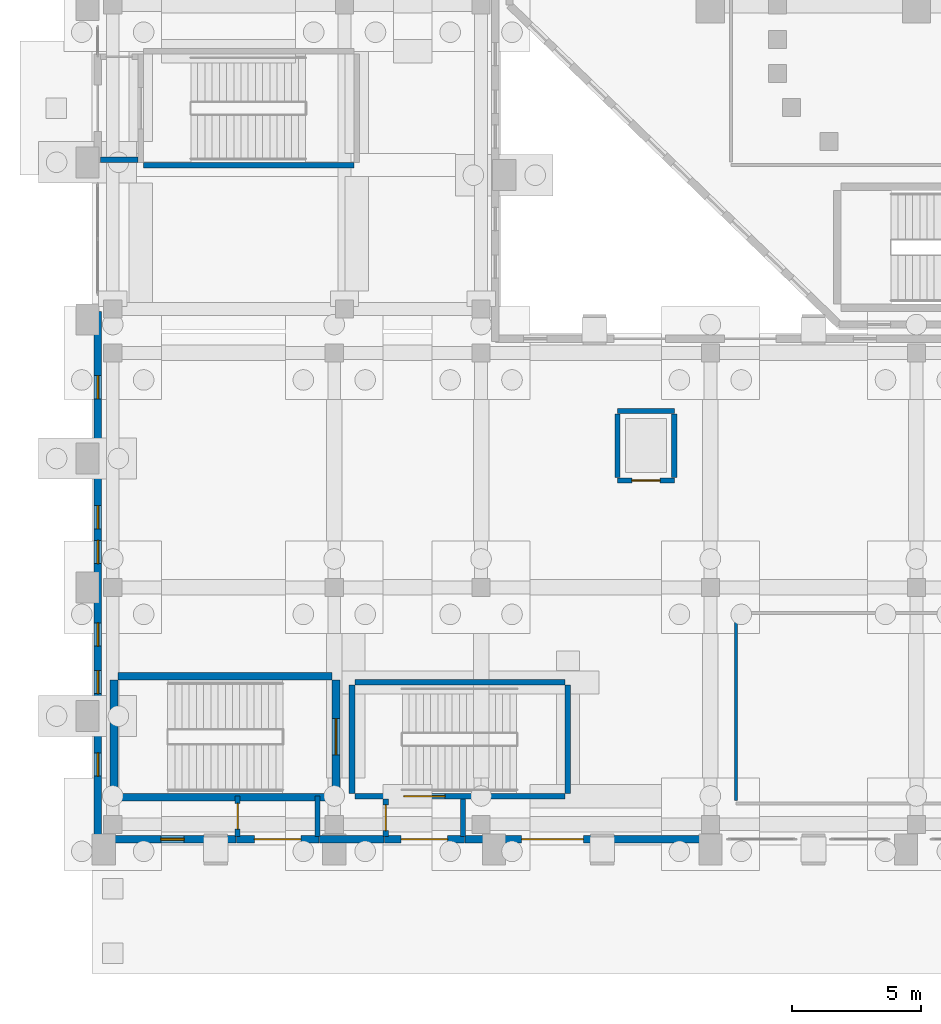
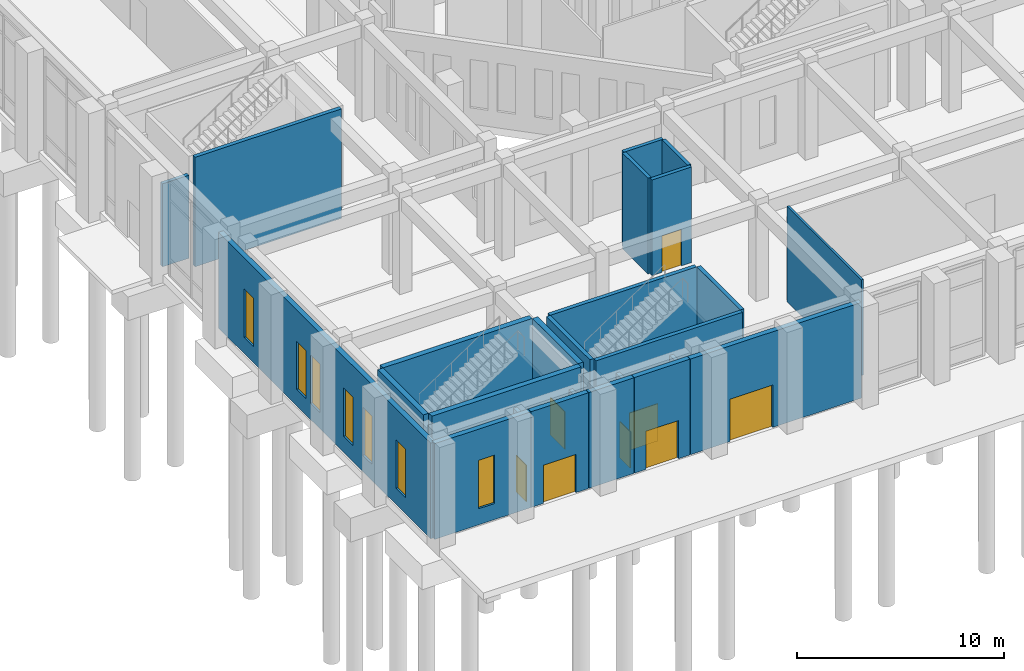
# One storey, part 103 of 143: 25 walls, 8 doors, 7 windows, 15 openings.
"""IFC4 building model written with IfcOpenShell, lengths in metres."""

import ifcopenshell
import ifcopenshell.guid

model = None  # the IFC model being written
_history = None  # IfcOwnerHistory: only IFC2X3 demands one
_inside = {}  # id of a spatial element -> (the spatial element, [elements in it])
_under = {}  # id of a project, library or spatial element -> (it, [spatial elements below it])
_declared = {}  # id of a project -> (the project, [libraries it declares])
_typed = {}  # id of a type object -> (the type object, [elements of that type])
_made_of = {}  # id of a material, layer set ... -> (it, [elements and type objects made of it])


def new_model(schema):
    """Start an empty IFC model of exactly this schema.

    Asked for "IFC4X3", IfcOpenShell would pick the latest addendum, in which some entities
    have other attributes; the version numbers below select the first issue.
    IFC2X3 requires an IfcOwnerHistory on every rooted entity: one is made here for all.
    """
    global model, _history
    if schema == "IFC4X3":
        model = ifcopenshell.file(schema_version=(4, 3, 0, 0))
    else:
        model = ifcopenshell.file(schema=schema)
    _inside.clear()
    _under.clear()
    _declared.clear()
    _typed.clear()
    _made_of.clear()
    _history = None
    if model.schema == "IFC2X3":
        org = make("IfcOrganization", Name="unknown")
        user = make(
            "IfcPersonAndOrganization",
            ThePerson=make("IfcPerson", FamilyName="unknown"),
            TheOrganization=org,
        )
        app = make(
            "IfcApplication",
            ApplicationDeveloper=org,
            Version="unknown",
            ApplicationFullName="unknown",
            ApplicationIdentifier="unknown",
        )
        _history = make(
            "IfcOwnerHistory",
            OwningUser=user,
            OwningApplication=app,
            ChangeAction="ADDED",
            CreationDate=0,
        )
    return model


def make(cls, **values):
    """One entity of the class cls with the attributes given. An attribute that is None is left unset."""
    return model.create_entity(
        cls, **{name: value for name, value in values.items() if value is not None}
    )


def rooted(cls, **values):
    """An entity with a GlobalId (a new one), such as an element, a storey or a relation."""
    return make(cls, GlobalId=ifcopenshell.guid.new(), OwnerHistory=_history, **values)


def si_unit(unit_type, name, prefix=None):
    """IfcSIUnit, for example si_unit("LENGTHUNIT", "METRE", prefix="MILLI")."""
    return make("IfcSIUnit", UnitType=unit_type, Prefix=prefix, Name=name)


def derived_unit(unit_type, elements):
    """IfcDerivedUnit: a product of units, each with its exponent."""
    return make(
        "IfcDerivedUnit",
        Elements=[
            make("IfcDerivedUnitElement", Unit=unit, Exponent=power)
            for unit, power in elements
        ],
        UnitType=unit_type,
    )


def assignment(units):
    """IfcUnitAssignment: the units of a project."""
    return None if units is None else make("IfcUnitAssignment", Units=units)


def point(xyz):
    """IfcCartesianPoint."""
    return None if xyz is None else make("IfcCartesianPoint", Coordinates=xyz)


def direction(xyz):
    """IfcDirection."""
    return None if xyz is None else make("IfcDirection", DirectionRatios=xyz)


def frame(location, z_axis=None, x_axis=None):
    """IfcAxis2Placement3D, a coordinate frame: its origin and axes. An axis left out is left unset."""
    return make(
        "IfcAxis2Placement3D",
        Location=point(location),
        Axis=direction(z_axis),
        RefDirection=direction(x_axis),
    )


def frame_2d(location, x_axis=None):
    """IfcAxis2Placement2D, a coordinate frame in the plane: its origin and x axis."""
    return make(
        "IfcAxis2Placement2D", Location=point(location), RefDirection=direction(x_axis)
    )


def origin():
    """The frame at (0, 0, 0) with its axes left unset."""
    return frame((0.0, 0.0, 0.0))


def place(relative_to, where):
    """IfcLocalPlacement: puts the frame where relative to a parent placement (None: the world)."""
    return make(
        "IfcLocalPlacement", PlacementRelTo=relative_to, RelativePlacement=where
    )


def context(
    kind, dimensions, precision=None, world=None, true_north=None, identifier=None
):
    """IfcGeometricRepresentationContext, for example the 3D "Model" context."""
    return make(
        "IfcGeometricRepresentationContext",
        ContextIdentifier=identifier,
        ContextType=kind,
        CoordinateSpaceDimension=dimensions,
        Precision=precision,
        WorldCoordinateSystem=world,
        TrueNorth=true_north,
    )


def subcontext(parent, identifier, kind, view, scale=None):
    """IfcGeometricRepresentationSubContext, for example "Body" below "Model"."""
    return make(
        "IfcGeometricRepresentationSubContext",
        ContextIdentifier=identifier,
        ContextType=kind,
        ParentContext=parent,
        TargetScale=scale,
        TargetView=view,
    )


def project(units=None, contexts=None):
    """IfcProject with its units and contexts."""
    return rooted(
        "IfcProject",
        Name="project",
        RepresentationContexts=contexts,
        UnitsInContext=assignment(units),
    )


def spatial(cls, under=None, at=None, **own):
    """A site, building, storey or space (cls), placed at a placement, below another one or the project."""
    s = rooted(cls, ObjectPlacement=at, **own)
    if under is not None:
        _under.setdefault(under.id(), (under, []))[1].append(s)
    return s


def profile(cls, at=None, kind="AREA", **sizes):
    """A parametric profile (cls). Its sizes go by their IFC names, for example OverallWidth=200.0."""
    return make(cls, ProfileType=kind, Position=at, **sizes)


def rectangle(**sizes):
    """IfcRectangleProfileDef."""
    return profile("IfcRectangleProfileDef", **sizes)


def extrude(swept, where, along, depth):
    """IfcExtrudedAreaSolid: the profile swept, set in the frame where, extruded along a direction by depth."""
    return make(
        "IfcExtrudedAreaSolid",
        SweptArea=swept,
        Position=where,
        ExtrudedDirection=direction(along),
        Depth=depth,
    )


def shape(context_of_items, identifier, shape_type, items):
    """IfcShapeRepresentation: the items that make up one representation, for example the "Body"."""
    return make(
        "IfcShapeRepresentation",
        ContextOfItems=context_of_items,
        RepresentationIdentifier=identifier,
        RepresentationType=shape_type,
        Items=items,
    )


def material(Name=None, Category=None):
    """IfcMaterial."""
    return make("IfcMaterial", Name=Name, Category=Category)


def layer(
    of_material, thickness, ventilated=None, Name=None, Category=None, Priority=None
):
    """IfcMaterialLayer: one layer of a wall or slab, of a material (None: an air gap)."""
    return make(
        "IfcMaterialLayer",
        Material=of_material,
        LayerThickness=thickness,
        IsVentilated=ventilated,
        Name=Name,
        Category=Category,
        Priority=Priority,
    )


def layer_set(layers, Name=None):
    """IfcMaterialLayerSet."""
    return make("IfcMaterialLayerSet", MaterialLayers=layers, LayerSetName=Name)


def made_of(thing, what):
    """Note that an element or type object is made of a material, layer set ...; save() writes the relation."""
    if what is not None:
        _made_of.setdefault(what.id(), (what, []))[1].append(thing)
    return thing


def type_object(cls, material=None, **own):
    """A type object (cls), such as IfcWallType, which elements share."""
    return made_of(rooted(cls, **own), material)


def element(
    cls,
    number,
    at=None,
    inside=None,
    cuts=None,
    type_object=None,
    material=None,
    context=None,
    identifier="Body",
    shape_type=None,
    held_by="IfcProductDefinitionShape",
    body=None,
    shapes=None,
    **own,
):
    """One element of the class cls, such as IfcWall. Its Tag is "e" and its number.

    at: its placement. inside: the storey or other place that contains it. cuts: it is an
    opening in that element (IfcRelVoidsElement). A single representation is given by context,
    identifier, shape_type and body (its items); several are given by shapes. held_by: the class
    of the entity that holds the representations. save() writes the other relations.
    """
    e = rooted(cls, Tag="e%d" % number, ObjectPlacement=at, **own)
    if body is not None:
        shapes = [shape(context, identifier, shape_type, body)]
    if shapes is not None:
        e.Representation = make(held_by, Representations=shapes)
    if inside is not None:
        _inside.setdefault(inside.id(), (inside, []))[1].append(e)
    if cuts is not None:
        rooted(
            "IfcRelVoidsElement", RelatingBuildingElement=cuts, RelatedOpeningElement=e
        )
    if type_object is not None:
        _typed.setdefault(type_object.id(), (type_object, []))[1].append(e)
    return made_of(e, material)


def fill(opening, filler):
    """IfcRelFillsElement: the door or window that sits in an opening."""
    return rooted(
        "IfcRelFillsElement",
        RelatingOpeningElement=opening,
        RelatedBuildingElement=filler,
    )


def aggregate(whole, parts):
    """IfcRelAggregates: a whole, such as a stair, and the parts it consists of."""
    return rooted("IfcRelAggregates", RelatingObject=whole, RelatedObjects=parts)


def save(model, path):
    """Write the relations noted so far, then the file.

    IfcRelAggregates (storeys below a building ...), IfcRelContainedInSpatialStructure (elements
    in a storey), IfcRelDefinesByType, IfcRelAssociatesMaterial and IfcRelDeclares: one each for
    every whole, place, type object, material and project.
    """
    for whole, parts in _under.values():
        aggregate(whole, parts)
    for where, things in _inside.values():
        rooted(
            "IfcRelContainedInSpatialStructure",
            RelatedElements=things,
            RelatingStructure=where,
        )
    for kind, things in _typed.values():
        rooted("IfcRelDefinesByType", RelatedObjects=things, RelatingType=kind)
    for what, things in _made_of.values():
        rooted("IfcRelAssociatesMaterial", RelatedObjects=things, RelatingMaterial=what)
    for by, libraries in _declared.values():
        rooted("IfcRelDeclares", RelatingContext=by, RelatedDefinitions=libraries)
    model.write(path)


model = new_model("IFC4")

# Units and contexts
model_context = context("Model", 3, precision=1e-05, world=origin(), true_north=direction((0.0, 1.0)))
body_context = subcontext(model_context, "Body", "Model", "MODEL_VIEW")
ifc_project = project(units=[si_unit("LENGTHUNIT", "METRE"), si_unit("AREAUNIT", "SQUARE_METRE"), si_unit("VOLUMEUNIT", "CUBIC_METRE"), si_unit("PLANEANGLEUNIT", "RADIAN"), si_unit("MASSUNIT", "GRAM", prefix="KILO"), derived_unit("THERMALTRANSMITTANCEUNIT", [(si_unit("MASSUNIT", "GRAM", prefix="KILO"), 1), (si_unit("TIMEUNIT", "SECOND"), -3), (si_unit("THERMODYNAMICTEMPERATUREUNIT", "KELVIN"), -1)])], contexts=[model_context])

# Site, building, storey
site_placement = place(None, origin())
site = spatial("IfcSite", under=ifc_project, at=site_placement, CompositionType="ELEMENT")
building_placement = place(site_placement, origin())
building = spatial("IfcBuilding", under=site, at=building_placement, Name="Valcora Ridge Arena", CompositionType="ELEMENT")
storey_placement = place(building_placement, origin())
storey = spatial("IfcBuildingStorey", under=building, at=storey_placement, Name="L00", CompositionType="ELEMENT", Elevation=0.0)

# Wall, opening, window
ifc_material_1 = material(Name="Bush-hammered Andean travertine on concrete backup C40/50", Category="masonry")
ifc_layer_1 = layer(ifc_material_1, 0.280029296875, Name="Bush-hammered Andean travertine on concrete backup C40/50")
ifc_layer_set_1 = layer_set([ifc_layer_1], Name="Bush-hammered Andean travertine on concrete backup C40/50")
wall_type_1 = type_object("IfcWallType", Name="TY-WALL-EW-TRV-28-56", PredefinedType="STANDARD", material=ifc_layer_set_1)
wall_1_placement = place(storey_placement, frame((0.219970703125, 0.219970703125, 0.0), z_axis=(0.0, 0.0, 1.0), x_axis=(1.0, 0.0, 0.0)))
wall_1 = element("IfcWall", 1, at=wall_1_placement, inside=storey, type_object=wall_type_1, Name="EW-TRV-28-56 WAL-EW-0065", PredefinedType="STANDARD", context=body_context, shape_type="SweptSolid", body=[
    extrude(rectangle(XDim=5.360107421875, YDim=0.280029296875, at=frame_2d((2.68017578125, 0.0))), origin(), (0.0, 0.0, 1.0), 5.639892578125),
])
opening_1_placement = place(wall_1_placement, frame((2.449951171875, 0.0, 0.949951171875)))
opening_1 = element("IfcOpeningElement", 2, at=opening_1_placement, cuts=wall_1, Name="Opening W-GLAN-90X285", PredefinedType="OPENING", context=body_context, shape_type="SweptSolid", body=[
    extrude(rectangle(XDim=0.89990234375, YDim=2.85009765625, at=frame_2d((0.449951171875, 1.425048828125))), frame((0.0, 0.14990234375, 0.0), z_axis=(0.0, -1.0, 0.0), x_axis=(1.0, 0.0, 0.0)), (0.0, 0.0, 1.0), 0.300048828125),
])
ifc_material_2 = material(Name="Low-iron solar-control double glazing SHGC 0.28", Category="glass")
window_type = type_object("IfcWindowType", Name="TY-WINDOW-W-GLAN-90X285", PartitioningType="DOUBLE_PANEL_VERTICAL", PredefinedType="WINDOW", material=ifc_material_2)
window_1_placement = place(opening_1_placement, origin())
window_1 = element("IfcWindow", 3, at=window_1_placement, inside=storey, type_object=window_type, Name="W-GLAN-90X285 WIN-EX-0177", OverallHeight=2.85009765625, OverallWidth=0.89990234375, PartitioningType="DOUBLE_PANEL_VERTICAL", PredefinedType="WINDOW", context=body_context, shape_type="SweptSolid", body=[
    extrude(rectangle(XDim=0.89990234375, YDim=2.85009765625, at=frame_2d((0.449951171875, 1.425048828125))), frame((0.0, 0.030029296875, 0.0), z_axis=(0.0, -1.0, 0.0), x_axis=(1.0, 0.0, 0.0)), (0.0, 0.0, 1.0), 0.06005859375),
])
fill(opening_1, window_1)

# Wall
wall_2_placement = place(storey_placement, frame((8.820068359375, 0.219970703125, 0.0), z_axis=(0.0, 0.0, 1.0), x_axis=(1.0, 0.0, 0.0)))
element("IfcWall", 4, at=wall_2_placement, inside=storey, type_object=wall_type_1, Name="EW-TRV-28-56 WAL-EW-0066", PredefinedType="STANDARD", context=body_context, shape_type="SweptSolid", body=[
    extrude(rectangle(XDim=2.510009765625, YDim=0.280029296875, at=frame_2d((1.2548828125, 0.0))), origin(), (0.0, 0.0, 1.0), 5.639892578125),
])

# Wall, opening, door
wall_3_placement = place(storey_placement, frame((14.469970703125, 0.219970703125, 0.0), z_axis=(0.0, 0.0, 1.0), x_axis=(1.0, 0.0, 0.0)))
wall_3 = element("IfcWall", 5, at=wall_3_placement, inside=storey, type_object=wall_type_1, Name="EW-TRV-28-56 WAL-EW-0067", PredefinedType="STANDARD", context=body_context, shape_type="SweptSolid", body=[
    extrude(rectangle(XDim=9.530029296875, YDim=0.280029296875, at=frame_2d((4.76513671875, 0.0))), origin(), (0.0, 0.0, 1.0), 5.639892578125),
])
opening_2_placement = place(wall_3_placement, frame((2.199951171875, 0.0, 0.0)))
opening_2 = element("IfcOpeningElement", 6, at=opening_2_placement, cuts=wall_3, Name="Opening E-MAIN-2400", PredefinedType="OPENING", context=body_context, shape_type="SweptSolid", body=[
    extrude(rectangle(XDim=2.39990234375, YDim=2.5, at=frame_2d((1.199951171875, 1.25))), frame((0.0, 0.14990234375, 0.0), z_axis=(0.0, -1.0, 0.0), x_axis=(1.0, 0.0, 0.0)), (0.0, 0.0, 1.0), 0.300048828125),
])
ifc_material_3 = material(Name="Thermally broken bronze aluminium glazed entrance leaf", Category="aluminium")
door_type_1 = type_object("IfcDoorType", Name="TY-DOOR-E-MAIN-2400", OperationType="NOTDEFINED", PredefinedType="DOOR", material=ifc_material_3)
door_1_placement = place(opening_2_placement, origin())
door_1 = element("IfcDoor", 7, at=door_1_placement, inside=storey, type_object=door_type_1, Name="E-MAIN-2400 DOR-EX-0015", OperationType="DOUBLE_DOOR_SINGLE_SWING", OverallHeight=2.5, OverallWidth=2.39990234375, PredefinedType="DOOR", context=body_context, shape_type="SweptSolid", body=[
    extrude(rectangle(XDim=2.39990234375, YDim=2.5, at=frame_2d((1.199951171875, 1.25))), frame((0.0, 0.02490234375, 0.0), z_axis=(0.0, -1.0, 0.0), x_axis=(1.0, 0.0, 0.0)), (0.0, 0.0, 1.0), 0.050048828125),
])
fill(opening_2, door_1)

# Wall, openings, windows
wall_4_placement = place(storey_placement, frame((0.219970703125, 0.219970703125, 0.0), z_axis=(0.0, 0.0, 1.0), x_axis=(0.0, 1.0, 0.0)))
wall_4 = element("IfcWall", 8, at=wall_4_placement, inside=storey, type_object=wall_type_1, Name="EW-TRV-28-56 WAL-EW-0073", PredefinedType="STANDARD", context=body_context, shape_type="SweptSolid", body=[
    extrude(rectangle(XDim=20.47998046875, YDim=0.280029296875, at=frame_2d((10.239990234375, 0.0))), origin(), (0.0, 0.0, 1.0), 5.639892578125),
])
opening_3_placement = place(wall_4_placement, frame((2.449951171875, 0.0, 0.949951171875)))
opening_3 = element("IfcOpeningElement", 9, at=opening_3_placement, cuts=wall_4, Name="Opening W-GLAN-90X285", PredefinedType="OPENING", context=body_context, shape_type="SweptSolid", body=[
    extrude(rectangle(XDim=0.89990234375, YDim=2.85009765625, at=frame_2d((0.449951171875, 1.425048828125))), frame((0.0, 0.14990234375, 0.0), z_axis=(0.0, -1.0, 0.0), x_axis=(1.0, 0.0, 0.0)), (0.0, 0.0, 1.0), 0.300048828125),
])
opening_4_placement = place(wall_4_placement, frame((5.64990234375, 0.0, 0.949951171875)))
opening_4 = element("IfcOpeningElement", 10, at=opening_4_placement, cuts=wall_4, Name="Opening W-GLAN-90X285", PredefinedType="OPENING", context=body_context, shape_type="SweptSolid", body=[
    extrude(rectangle(XDim=0.89990234375, YDim=2.85009765625, at=frame_2d((0.449951171875, 1.425048828125))), frame((0.0, 0.14990234375, 0.0), z_axis=(0.0, -1.0, 0.0), x_axis=(1.0, 0.0, 0.0)), (0.0, 0.0, 1.0), 0.300048828125),
])
opening_5_placement = place(wall_4_placement, frame((7.5, 0.0, 0.949951171875)))
opening_5 = element("IfcOpeningElement", 11, at=opening_5_placement, cuts=wall_4, Name="Opening W-GLAN-90X285", PredefinedType="OPENING", context=body_context, shape_type="SweptSolid", body=[
    extrude(rectangle(XDim=0.89990234375, YDim=2.85009765625, at=frame_2d((0.449951171875, 1.425048828125))), frame((0.0, 0.14990234375, 0.0), z_axis=(0.0, -1.0, 0.0), x_axis=(1.0, 0.0, 0.0)), (0.0, 0.0, 1.0), 0.300048828125),
])
opening_6_placement = place(wall_4_placement, frame((10.699951171875, 0.0, 0.949951171875)))
opening_6 = element("IfcOpeningElement", 12, at=opening_6_placement, cuts=wall_4, Name="Opening W-GLAN-90X285", PredefinedType="OPENING", context=body_context, shape_type="SweptSolid", body=[
    extrude(rectangle(XDim=0.89990234375, YDim=2.85009765625, at=frame_2d((0.449951171875, 1.425048828125))), frame((0.0, 0.14990234375, 0.0), z_axis=(0.0, -1.0, 0.0), x_axis=(1.0, 0.0, 0.0)), (0.0, 0.0, 1.0), 0.300048828125),
])
opening_7_placement = place(wall_4_placement, frame((12.050048828125, 0.0, 0.949951171875)))
opening_7 = element("IfcOpeningElement", 13, at=opening_7_placement, cuts=wall_4, Name="Opening W-GLAN-90X285", PredefinedType="OPENING", context=body_context, shape_type="SweptSolid", body=[
    extrude(rectangle(XDim=0.89990234375, YDim=2.85009765625, at=frame_2d((0.449951171875, 1.425048828125))), frame((0.0, 0.14990234375, 0.0), z_axis=(0.0, -1.0, 0.0), x_axis=(1.0, 0.0, 0.0)), (0.0, 0.0, 1.0), 0.300048828125),
])
opening_8_placement = place(wall_4_placement, frame((17.10009765625, 0.0, 0.949951171875)))
opening_8 = element("IfcOpeningElement", 14, at=opening_8_placement, cuts=wall_4, Name="Opening W-GLAN-90X285", PredefinedType="OPENING", context=body_context, shape_type="SweptSolid", body=[
    extrude(rectangle(XDim=0.89990234375, YDim=2.85009765625, at=frame_2d((0.449951171875, 1.425048828125))), frame((0.0, 0.14990234375, 0.0), z_axis=(0.0, -1.0, 0.0), x_axis=(1.0, 0.0, 0.0)), (0.0, 0.0, 1.0), 0.300048828125),
])
window_2_placement = place(opening_3_placement, origin())
window_2 = element("IfcWindow", 15, at=window_2_placement, inside=storey, type_object=window_type, Name="W-GLAN-90X285 WIN-EX-0188", OverallHeight=2.85009765625, OverallWidth=0.89990234375, PartitioningType="DOUBLE_PANEL_VERTICAL", PredefinedType="WINDOW", context=body_context, shape_type="SweptSolid", body=[
    extrude(rectangle(XDim=0.89990234375, YDim=2.85009765625, at=frame_2d((0.449951171875, 1.425048828125))), frame((0.0, 0.030029296875, 0.0), z_axis=(0.0, -1.0, 0.0), x_axis=(1.0, 0.0, 0.0)), (0.0, 0.0, 1.0), 0.06005859375),
])
fill(opening_3, window_2)
window_3_placement = place(opening_4_placement, origin())
window_3 = element("IfcWindow", 16, at=window_3_placement, inside=storey, type_object=window_type, Name="W-GLAN-90X285 WIN-EX-0189", OverallHeight=2.85009765625, OverallWidth=0.89990234375, PartitioningType="DOUBLE_PANEL_VERTICAL", PredefinedType="WINDOW", context=body_context, shape_type="SweptSolid", body=[
    extrude(rectangle(XDim=0.89990234375, YDim=2.85009765625, at=frame_2d((0.449951171875, 1.425048828125))), frame((0.0, 0.030029296875, 0.0), z_axis=(0.0, -1.0, 0.0), x_axis=(1.0, 0.0, 0.0)), (0.0, 0.0, 1.0), 0.06005859375),
])
fill(opening_4, window_3)
window_4_placement = place(opening_5_placement, origin())
window_4 = element("IfcWindow", 17, at=window_4_placement, inside=storey, type_object=window_type, Name="W-GLAN-90X285 WIN-EX-0190", OverallHeight=2.85009765625, OverallWidth=0.89990234375, PartitioningType="DOUBLE_PANEL_VERTICAL", PredefinedType="WINDOW", context=body_context, shape_type="SweptSolid", body=[
    extrude(rectangle(XDim=0.89990234375, YDim=2.85009765625, at=frame_2d((0.449951171875, 1.425048828125))), frame((0.0, 0.030029296875, 0.0), z_axis=(0.0, -1.0, 0.0), x_axis=(1.0, 0.0, 0.0)), (0.0, 0.0, 1.0), 0.06005859375),
])
fill(opening_5, window_4)
window_5_placement = place(opening_6_placement, origin())
window_5 = element("IfcWindow", 18, at=window_5_placement, inside=storey, type_object=window_type, Name="W-GLAN-90X285 WIN-EX-0191", OverallHeight=2.85009765625, OverallWidth=0.89990234375, PartitioningType="DOUBLE_PANEL_VERTICAL", PredefinedType="WINDOW", context=body_context, shape_type="SweptSolid", body=[
    extrude(rectangle(XDim=0.89990234375, YDim=2.85009765625, at=frame_2d((0.449951171875, 1.425048828125))), frame((0.0, 0.030029296875, 0.0), z_axis=(0.0, -1.0, 0.0), x_axis=(1.0, 0.0, 0.0)), (0.0, 0.0, 1.0), 0.06005859375),
])
fill(opening_6, window_5)
window_6_placement = place(opening_7_placement, origin())
window_6 = element("IfcWindow", 19, at=window_6_placement, inside=storey, type_object=window_type, Name="W-GLAN-90X285 WIN-EX-0192", OverallHeight=2.85009765625, OverallWidth=0.89990234375, PartitioningType="DOUBLE_PANEL_VERTICAL", PredefinedType="WINDOW", context=body_context, shape_type="SweptSolid", body=[
    extrude(rectangle(XDim=0.89990234375, YDim=2.85009765625, at=frame_2d((0.449951171875, 1.425048828125))), frame((0.0, 0.030029296875, 0.0), z_axis=(0.0, -1.0, 0.0), x_axis=(1.0, 0.0, 0.0)), (0.0, 0.0, 1.0), 0.06005859375),
])
fill(opening_7, window_6)
window_7_placement = place(opening_8_placement, origin())
window_7 = element("IfcWindow", 20, at=window_7_placement, inside=storey, type_object=window_type, Name="W-GLAN-90X285 WIN-EX-0193", OverallHeight=2.85009765625, OverallWidth=0.89990234375, PartitioningType="DOUBLE_PANEL_VERTICAL", PredefinedType="WINDOW", context=body_context, shape_type="SweptSolid", body=[
    extrude(rectangle(XDim=0.89990234375, YDim=2.85009765625, at=frame_2d((0.449951171875, 1.425048828125))), frame((0.0, 0.030029296875, 0.0), z_axis=(0.0, -1.0, 0.0), x_axis=(1.0, 0.0, 0.0)), (0.0, 0.0, 1.0), 0.06005859375),
])
fill(opening_8, window_7)

# Wall, opening, door
ifc_layer_2 = layer(ifc_material_1, 0.280029296875, Name="Bush-hammered Andean travertine on concrete backup C40/50")
ifc_layer_set_2 = layer_set([ifc_layer_2], Name="Bush-hammered Andean travertine on concrete backup C40/50")
wall_type_2 = type_object("IfcWallType", Name="TY-WALL-EW-TRV-XP-56", PredefinedType="STANDARD", material=ifc_layer_set_2)
wall_5_placement = place(storey_placement, frame((8.800048828125, 0.219970703125, 0.0), z_axis=(0.0, 0.0, 1.0), x_axis=(-1.0, 0.0, 0.0)))
wall_5 = element("IfcWall", 21, at=wall_5_placement, inside=storey, type_object=wall_type_2, Name="EW-TRV-XP-56 WAL-XP-0001", PredefinedType="STANDARD", context=body_context, shape_type="SweptSolid", body=[
    extrude(rectangle(XDim=3.199951171875, YDim=0.280029296875, at=frame_2d((1.60009765625, 0.0))), origin(), (0.0, 0.0, 1.0), 5.639892578125),
])
opening_9_placement = place(wall_5_placement, frame((0.699951171875, 0.0, 0.0)))
opening_9 = element("IfcOpeningElement", 22, at=opening_9_placement, cuts=wall_5, Name="Opening D-EXP-1800", PredefinedType="OPENING", context=body_context, shape_type="SweptSolid", body=[
    extrude(rectangle(XDim=1.800048828125, YDim=2.25, at=frame_2d((0.89990234375, 1.125))), frame((0.0, 0.14990234375, 0.0), z_axis=(0.0, -1.0, 0.0), x_axis=(1.0, 0.0, 0.0)), (0.0, 0.0, 1.0), 0.300048828125),
])
ifc_material_4 = material(Name="Insulated fire-rated steel door leaf", Category="steel")
door_type_2 = type_object("IfcDoorType", Name="TY-DOOR-D-EXP-1800", OperationType="NOTDEFINED", PredefinedType="DOOR", material=ifc_material_4)
door_2_placement = place(opening_9_placement, origin())
door_2 = element("IfcDoor", 23, at=door_2_placement, inside=storey, type_object=door_type_2, Name="Final Exit Discharge Door ST07", OperationType="DOUBLE_DOOR_SINGLE_SWING", OverallHeight=2.25, OverallWidth=1.800048828125, PredefinedType="DOOR", context=body_context, shape_type="SweptSolid", body=[
    extrude(rectangle(XDim=1.800048828125, YDim=2.25, at=frame_2d((0.89990234375, 1.125))), frame((0.0, 0.02490234375, 0.0), z_axis=(0.0, -1.0, 0.0), x_axis=(1.0, 0.0, 0.0)), (0.0, 0.0, 1.0), 0.050048828125),
])
fill(opening_9, door_2)

wall_6_placement = place(storey_placement, frame((14.449951171875, 0.219970703125, 0.0), z_axis=(0.0, 0.0, 1.0), x_axis=(-1.0, 0.0, 0.0)))
wall_6 = element("IfcWall", 24, at=wall_6_placement, inside=storey, type_object=wall_type_2, Name="EW-TRV-XP-56 WAL-XP-0004", PredefinedType="STANDARD", context=body_context, shape_type="SweptSolid", body=[
    extrude(rectangle(XDim=3.099853515625, YDim=0.280029296875, at=frame_2d((1.5498046875, 0.0))), origin(), (0.0, 0.0, 1.0), 5.639892578125),
])
opening_10_placement = place(wall_6_placement, frame((0.64990234375, 0.0, 0.0)))
opening_10 = element("IfcOpeningElement", 25, at=opening_10_placement, cuts=wall_6, Name="Opening D-EXP-1800", PredefinedType="OPENING", context=body_context, shape_type="SweptSolid", body=[
    extrude(rectangle(XDim=1.800048828125, YDim=2.25, at=frame_2d((0.89990234375, 1.125))), frame((0.0, 0.14990234375, 0.0), z_axis=(0.0, -1.0, 0.0), x_axis=(1.0, 0.0, 0.0)), (0.0, 0.0, 1.0), 0.300048828125),
])
door_3_placement = place(opening_10_placement, origin())
door_3 = element("IfcDoor", 26, at=door_3_placement, inside=storey, type_object=door_type_2, Name="Final Exit Discharge Door ES05", OperationType="DOUBLE_DOOR_SINGLE_SWING", OverallHeight=2.25, OverallWidth=1.800048828125, PredefinedType="DOOR", context=body_context, shape_type="SweptSolid", body=[
    extrude(rectangle(XDim=1.800048828125, YDim=2.25, at=frame_2d((0.89990234375, 1.125))), frame((0.0, 0.02490234375, 0.0), z_axis=(0.0, -1.0, 0.0), x_axis=(1.0, 0.0, 0.0)), (0.0, 0.0, 1.0), 0.050048828125),
])
fill(opening_10, door_3)

ifc_material_5 = material(Name="Fire-resisting reinforced concrete enclosure C40/50 200 mm", Category="concrete")
ifc_layer_3 = layer(ifc_material_5, 0.199951171875, Name="Fire-resisting reinforced concrete enclosure C40/50 200 mm")
ifc_layer_set_3 = layer_set([ifc_layer_3], Name="Fire-resisting reinforced concrete enclosure C40/50 200 mm")
wall_type_3 = type_object("IfcWallType", Name="TY-WALL-IW-FIRE-200", PredefinedType="STANDARD", material=ifc_layer_set_3)
wall_7_placement = place(storey_placement, frame((5.64990234375, 0.320068359375, 0.0), z_axis=(0.0, 0.0, 1.0), x_axis=(0.0, 1.0, 0.0)))
wall_7 = element("IfcWall", 27, at=wall_7_placement, inside=storey, type_object=wall_type_3, Name="IW-FIRE-200 WAL-XP-0002", PredefinedType="STANDARD", context=body_context, shape_type="SweptSolid", body=[
    extrude(rectangle(XDim=1.579833984375, YDim=0.199951171875, at=frame_2d((0.7900390625, 0.0))), origin(), (0.0, 0.0, 1.0), 4.889892578125),
])
opening_11_placement = place(wall_7_placement, frame((0.2900390625, 0.0, 0.0)))
opening_11 = element("IfcOpeningElement", 28, at=opening_11_placement, cuts=wall_7, Name="Opening FD-STE-1000", PredefinedType="OPENING", context=body_context, shape_type="SweptSolid", body=[
    extrude(rectangle(XDim=1.0, YDim=2.14990234375, at=frame_2d((0.5, 1.074951171875))), frame((0.0, 0.10986328125, 0.0), z_axis=(0.0, -1.0, 0.0), x_axis=(1.0, 0.0, 0.0)), (0.0, 0.0, 1.0), 0.219970703125),
])
door_type_3 = type_object("IfcDoorType", Name="TY-DOOR-FD-STE-1000", OperationType="NOTDEFINED", PredefinedType="DOOR", material=ifc_material_4)
door_4_placement = place(opening_11_placement, origin())
door_4 = element("IfcDoor", 29, at=door_4_placement, inside=storey, type_object=door_type_3, Name="FD-STE-1000 DOR-XP-0002", OperationType="SINGLE_SWING_LEFT", OverallHeight=2.14990234375, OverallWidth=1.0, PredefinedType="DOOR", context=body_context, shape_type="SweptSolid", body=[
    extrude(rectangle(XDim=1.0, YDim=2.14990234375, at=frame_2d((0.5, 1.074951171875))), frame((0.0, 0.02490234375, 0.0), z_axis=(0.0, -1.0, 0.0), x_axis=(1.0, 0.0, 0.0)), (0.0, 0.0, 1.0), 0.050048828125),
])
fill(opening_11, door_4)

# Wall
wall_8_placement = place(storey_placement, frame((8.75, 0.320068359375, 0.0), z_axis=(0.0, 0.0, 1.0), x_axis=(0.0, 1.0, 0.0)))
element("IfcWall", 30, at=wall_8_placement, inside=storey, type_object=wall_type_3, Name="IW-FIRE-200 WAL-XP-0003", PredefinedType="STANDARD", context=body_context, shape_type="SweptSolid", body=[
    extrude(rectangle(XDim=1.579833984375, YDim=0.199951171875, at=frame_2d((0.7900390625, 0.0))), origin(), (0.0, 0.0, 1.0), 4.889892578125),
])

# Wall, opening, door
wall_9_placement = place(storey_placement, frame((11.39990234375, 0.320068359375, 0.0), z_axis=(0.0, 0.0, 1.0), x_axis=(0.0, 1.0, 0.0)))
wall_9 = element("IfcWall", 31, at=wall_9_placement, inside=storey, type_object=wall_type_3, Name="IW-FIRE-200 WAL-XP-0005", PredefinedType="STANDARD", context=body_context, shape_type="SweptSolid", body=[
    extrude(rectangle(XDim=1.469970703125, YDim=0.199951171875, at=frame_2d((0.73486328125, 0.0))), origin(), (0.0, 0.0, 1.0), 4.889892578125),
])
opening_12_placement = place(wall_9_placement, frame((0.235107421875, 0.0, 0.0)))
opening_12 = element("IfcOpeningElement", 32, at=opening_12_placement, cuts=wall_9, Name="Opening FD-STE-1000", PredefinedType="OPENING", context=body_context, shape_type="SweptSolid", body=[
    extrude(rectangle(XDim=1.0, YDim=2.14990234375, at=frame_2d((0.5, 1.074951171875))), frame((0.0, 0.10986328125, 0.0), z_axis=(0.0, -1.0, 0.0), x_axis=(1.0, 0.0, 0.0)), (0.0, 0.0, 1.0), 0.219970703125),
])
door_5_placement = place(opening_12_placement, origin())
door_5 = element("IfcDoor", 33, at=door_5_placement, inside=storey, type_object=door_type_3, Name="FD-STE-1000 DOR-XP-0004", OperationType="SINGLE_SWING_RIGHT", OverallHeight=2.14990234375, OverallWidth=1.0, PredefinedType="DOOR", context=body_context, shape_type="SweptSolid", body=[
    extrude(rectangle(XDim=1.0, YDim=2.14990234375, at=frame_2d((0.5, 1.074951171875))), frame((0.0, 0.02490234375, 0.0), z_axis=(0.0, -1.0, 0.0), x_axis=(1.0, 0.0, 0.0)), (0.0, 0.0, 1.0), 0.050048828125),
])
fill(opening_12, door_5)

# Walls
for number, where, z_axis, x_axis, name in (
    (34, (14.39990234375, 0.320068359375, 0.0), (0.0, 0.0, 1.0), (0.0, 1.0, 0.0), "IW-FIRE-200 WAL-XP-0006"),
    (35, (0.320068359375, 26.60009765625, 0.0), (0.0, 0.0, 1.0), (1.0, 0.0, 0.0), "IW-FIRE-200 WAL-XP-0011"),
):
    element("IfcWall", number, at=place(storey_placement, frame(where, z_axis=z_axis, x_axis=x_axis)), inside=storey, type_object=wall_type_3, Name=name, PredefinedType="STANDARD", context=body_context, shape_type="SweptSolid", body=[
        extrude(rectangle(XDim=1.469970703125, YDim=0.199951171875, at=frame_2d((0.73486328125, 0.0))), origin(), (0.0, 0.0, 1.0), 4.889892578125),
    ])
ifc_material_6 = material(Name="Acoustic metal-stud gypsum partition 120 mm")
ifc_layer_4 = layer(ifc_material_6, 0.1201171875, Name="Acoustic metal-stud gypsum partition 120 mm")
ifc_layer_set_4 = layer_set([ifc_layer_4], Name="Acoustic metal-stud gypsum partition 120 mm")
wall_type_4 = type_object("IfcWallType", Name="TY-WALL-IW-PART-120", PredefinedType="PARTITIONING", material=ifc_layer_set_4)
wall_10_placement = place(storey_placement, frame((25.0, 1.719970703125, 0.0), z_axis=(0.0, 0.0, 1.0), x_axis=(0.0, 1.0, 0.0)))
element("IfcWall", 36, at=wall_10_placement, inside=storey, type_object=wall_type_4, Name="IW-PART-120 WAL-IN-0259", PredefinedType="PARTITIONING", context=body_context, shape_type="SweptSolid", body=[
    extrude(rectangle(XDim=7.159912109375, YDim=0.1201171875, at=frame_2d((3.580078125, 0.0))), origin(), (0.0, 0.0, 1.0), 5.639892578125),
])

# Wall, opening, door
ifc_material_7 = material(Name="Concrete C40/50", Category="concrete")
ifc_layer_5 = layer(ifc_material_7, 0.199951171875, Name="Concrete C40/50")
ifc_layer_set_5 = layer_set([ifc_layer_5], Name="Concrete C40/50")
wall_type_5 = type_object("IfcWallType", Name="TY-WALL-IW-SHF-200", PredefinedType="STANDARD", material=ifc_layer_set_5)
wall_11_placement = place(storey_placement, frame((20.39990234375, 14.14990234375, 0.0), z_axis=(0.0, 0.0, 1.0), x_axis=(1.0, 0.0, 0.0)))
wall_11 = element("IfcWall", 37, at=wall_11_placement, inside=storey, type_object=wall_type_5, Name="IW-SHF-200 WAL-SH-0173", PredefinedType="STANDARD", context=body_context, shape_type="SweptSolid", body=[
    extrude(rectangle(XDim=2.2001953125, YDim=0.199951171875, at=frame_2d((1.10009765625, 0.0))), origin(), (0.0, 0.0, 1.0), 5.639892578125),
])
opening_13_placement = place(wall_11_placement, frame((0.550048828125, 0.0, 0.0)))
opening_13 = element("IfcOpeningElement", 38, at=opening_13_placement, cuts=wall_11, Name="Opening LD-PAX", PredefinedType="OPENING", context=body_context, shape_type="SweptSolid", body=[
    extrude(rectangle(XDim=1.10009765625, YDim=2.14990234375, at=frame_2d((0.550048828125, 1.074951171875))), frame((0.0, 0.10986328125, 0.0), z_axis=(0.0, -1.0, 0.0), x_axis=(1.0, 0.0, 0.0)), (0.0, 0.0, 1.0), 0.219970703125),
])
ifc_material_8 = material(Name="Insulated fire-rated hollow metal steel", Category="steel")
door_type_4 = type_object("IfcDoorType", Name="TY-DOOR-LD-PAX", OperationType="NOTDEFINED", PredefinedType="DOOR", material=ifc_material_8)
door_6_placement = place(opening_13_placement, origin())
door_6 = element("IfcDoor", 39, at=door_6_placement, inside=storey, type_object=door_type_4, Name="CL1 Landing Door L00", OperationType="SLIDING_TO_LEFT", OverallHeight=2.14990234375, OverallWidth=1.10009765625, PredefinedType="DOOR", context=body_context, shape_type="SweptSolid", body=[
    extrude(rectangle(XDim=1.10009765625, YDim=2.14990234375, at=frame_2d((0.550048828125, 1.074951171875))), frame((0.0, 0.02490234375, 0.0), z_axis=(0.0, -1.0, 0.0), x_axis=(1.0, 0.0, 0.0)), (0.0, 0.0, 1.0), 0.050048828125),
])
fill(opening_13, door_6)

# Walls
wall_12_placement = place(storey_placement, frame((20.39990234375, 16.85009765625, 0.0), z_axis=(0.0, 0.0, 1.0), x_axis=(1.0, 0.0, 0.0)))
element("IfcWall", 40, at=wall_12_placement, inside=storey, type_object=wall_type_5, Name="IW-SHF-200 WAL-SH-0174", PredefinedType="STANDARD", context=body_context, shape_type="SweptSolid", body=[
    extrude(rectangle(XDim=2.2001953125, YDim=0.199951171875, at=frame_2d((1.10009765625, 0.0))), origin(), (0.0, 0.0, 1.0), 5.639892578125),
])
for number, where, z_axis, x_axis, name in (
    (41, (20.39990234375, 14.27001953125, 0.0), (0.0, 0.0, 1.0), (0.0, 1.0, 0.0), "IW-SHF-200 WAL-SH-0175"),
    (42, (22.60009765625, 14.27001953125, 0.0), (0.0, 0.0, 1.0), (0.0, 1.0, 0.0), "IW-SHF-200 WAL-SH-0176"),
):
    element("IfcWall", number, at=place(storey_placement, frame(where, z_axis=z_axis, x_axis=x_axis)), inside=storey, type_object=wall_type_5, Name=name, PredefinedType="STANDARD", context=body_context, shape_type="SweptSolid", body=[
        extrude(rectangle(XDim=2.4599609375, YDim=0.199951171875, at=frame_2d((1.22998046875, 0.0))), origin(), (0.0, 0.0, 1.0), 5.639892578125),
    ])
ifc_material_9 = material(Name="Concrete C45/55", Category="concrete")
ifc_layer_6 = layer(ifc_material_9, 0.300048828125, Name="Concrete C45/55")
ifc_layer_set_6 = layer_set([ifc_layer_6], Name="Concrete C45/55")
wall_type_6 = type_object("IfcWallType", Name="TY-WALL-SW-C300-L", PredefinedType="SHEAR", material=ifc_layer_set_6)
for number, where, z_axis, x_axis, name in (
    (43, (1.0, 1.85009765625, 0.0), (0.0, 0.0, 1.0), (1.0, 0.0, 0.0), "SW-C300-L WAL-CR-0145"),
    (44, (1.0, 6.550048828125, 0.0), (0.0, 0.0, 1.0), (1.0, 0.0, 0.0), "SW-C300-L WAL-CR-0146"),
):
    element("IfcWall", number, at=place(storey_placement, frame(where, z_axis=z_axis, x_axis=x_axis)), inside=storey, type_object=wall_type_6, Name=name, PredefinedType="SHEAR", context=body_context, shape_type="SweptSolid", body=[
        extrude(rectangle(XDim=8.320068359375, YDim=0.300048828125, at=frame_2d((4.16015625, 0.0))), origin(), (0.0, 0.0, 1.0), 6.0),
    ])
ifc_layer_7 = layer(ifc_material_9, 0.300048828125, Name="Concrete C45/55")
ifc_layer_set_7 = layer_set([ifc_layer_7], Name="Concrete C45/55")
wall_type_7 = type_object("IfcWallType", Name="TY-WALL-SW-C300-S", PredefinedType="SHEAR", material=ifc_layer_set_7)
wall_13_placement = place(storey_placement, frame((0.85009765625, 2.0, 0.0), z_axis=(0.0, 0.0, 1.0), x_axis=(0.0, 1.0, 0.0)))
element("IfcWall", 45, at=wall_13_placement, inside=storey, type_object=wall_type_7, Name="SW-C300-S WAL-CR-0147", PredefinedType="SHEAR", context=body_context, shape_type="SweptSolid", body=[
    extrude(rectangle(XDim=4.39990234375, YDim=0.300048828125, at=frame_2d((2.199951171875, 0.0))), origin(), (0.0, 0.0, 1.0), 6.0),
])

# Wall, opening, door
wall_14_placement = place(storey_placement, frame((9.469970703125, 2.0, 0.0), z_axis=(0.0, 0.0, 1.0), x_axis=(0.0, 1.0, 0.0)))
wall_14 = element("IfcWall", 46, at=wall_14_placement, inside=storey, type_object=wall_type_7, Name="SW-C300-S WAL-CR-0148", PredefinedType="SHEAR", context=body_context, shape_type="SweptSolid", body=[
    extrude(rectangle(XDim=4.39990234375, YDim=0.300048828125, at=frame_2d((2.199951171875, 0.0))), origin(), (0.0, 0.0, 1.0), 6.0),
])
opening_14_placement = place(wall_14_placement, frame((1.5, 0.0, 0.0)))
opening_14 = element("IfcOpeningElement", 47, at=opening_14_placement, cuts=wall_14, Name="Opening FD-01", PredefinedType="OPENING", context=body_context, shape_type="SweptSolid", body=[
    extrude(rectangle(XDim=1.39990234375, YDim=2.199951171875, at=frame_2d((0.699951171875, 1.10009765625))), frame((0.0, 0.159912109375, 0.0), z_axis=(0.0, -1.0, 0.0), x_axis=(1.0, 0.0, 0.0)), (0.0, 0.0, 1.0), 0.320068359375),
])
door_type_5 = type_object("IfcDoorType", Name="TY-DOOR-FD-01", OperationType="NOTDEFINED", PredefinedType="DOOR", material=ifc_material_4)
door_7_placement = place(opening_14_placement, origin())
door_7 = element("IfcDoor", 48, at=door_7_placement, inside=storey, type_object=door_type_5, Name="FD-01 DOR-ST-0037", OperationType="DOUBLE_DOOR_SINGLE_SWING", OverallHeight=2.199951171875, OverallWidth=1.39990234375, PredefinedType="DOOR", context=body_context, shape_type="SweptSolid", body=[
    extrude(rectangle(XDim=1.39990234375, YDim=2.199951171875, at=frame_2d((0.699951171875, 1.10009765625))), frame((0.0, 0.02490234375, 0.0), z_axis=(0.0, -1.0, 0.0), x_axis=(1.0, 0.0, 0.0)), (0.0, 0.0, 1.0), 0.050048828125),
])
fill(opening_14, door_7)

ifc_layer_8 = layer(ifc_material_5, 0.219970703125, Name="Fire-resisting reinforced concrete enclosure C40/50 200 mm")
ifc_layer_set_8 = layer_set([ifc_layer_8], Name="Fire-resisting reinforced concrete enclosure C40/50 200 mm")
wall_type_8 = type_object("IfcWallType", Name="TY-WALL-SW-ES-220", PredefinedType="SHEAR", material=ifc_layer_set_8)
wall_15_placement = place(storey_placement, frame((10.199951171875, 1.889892578125, -0.449951171875), z_axis=(0.0, 0.0, 1.0), x_axis=(1.0, 0.0, 0.0)))
wall_15 = element("IfcWall", 49, at=wall_15_placement, inside=storey, type_object=wall_type_8, Name="SW-ES-220 WAL-ES-0097", PredefinedType="SHEAR", context=body_context, shape_type="SweptSolid", body=[
    extrude(rectangle(XDim=8.16015625, YDim=0.219970703125, at=frame_2d((4.080078125, 0.0))), origin(), (0.0, 0.0, 1.0), 6.449951171875),
])
opening_15_placement = place(wall_15_placement, frame((1.89990234375, 0.0, 0.449951171875)))
opening_15 = element("IfcOpeningElement", 50, at=opening_15_placement, cuts=wall_15, Name="Opening FD-02", PredefinedType="OPENING", context=body_context, shape_type="SweptSolid", body=[
    extrude(rectangle(XDim=1.60009765625, YDim=2.199951171875, at=frame_2d((0.800048828125, 1.10009765625))), frame((0.0, 0.119873046875, 0.0), z_axis=(0.0, -1.0, 0.0), x_axis=(1.0, 0.0, 0.0)), (0.0, 0.0, 1.0), 0.239990234375),
])
door_type_6 = type_object("IfcDoorType", Name="TY-DOOR-FD-02", OperationType="NOTDEFINED", PredefinedType="DOOR", material=ifc_material_4)
door_8_placement = place(opening_15_placement, origin())
door_8 = element("IfcDoor", 51, at=door_8_placement, inside=storey, type_object=door_type_6, Name="FD-02 DOR-ES-0021", OperationType="DOUBLE_DOOR_SINGLE_SWING", OverallHeight=2.199951171875, OverallWidth=1.60009765625, PredefinedType="DOOR", context=body_context, shape_type="SweptSolid", body=[
    extrude(rectangle(XDim=1.60009765625, YDim=2.199951171875, at=frame_2d((0.800048828125, 1.10009765625))), frame((0.0, 0.02490234375, 0.0), z_axis=(0.0, -1.0, 0.0), x_axis=(1.0, 0.0, 0.0)), (0.0, 0.0, 1.0), 0.050048828125),
])
fill(opening_15, door_8)

# Walls
wall_16_placement = place(storey_placement, frame((10.199951171875, 6.31005859375, -0.449951171875), z_axis=(0.0, 0.0, 1.0), x_axis=(1.0, 0.0, 0.0)))
element("IfcWall", 52, at=wall_16_placement, inside=storey, type_object=wall_type_8, Name="SW-ES-220 WAL-ES-0098", PredefinedType="SHEAR", context=body_context, shape_type="SweptSolid", body=[
    extrude(rectangle(XDim=8.16015625, YDim=0.219970703125, at=frame_2d((4.080078125, 0.0))), origin(), (0.0, 0.0, 1.0), 6.449951171875),
])
for number, where, z_axis, x_axis, name in (
    (53, (10.090087890625, 2.0, -0.449951171875), (0.0, 0.0, 1.0), (0.0, 1.0, 0.0), "SW-ES-220 WAL-ES-0099"),
    (54, (18.469970703125, 2.0, -0.449951171875), (0.0, 0.0, 1.0), (0.0, 1.0, 0.0), "SW-ES-220 WAL-ES-0100"),
):
    element("IfcWall", number, at=place(storey_placement, frame(where, z_axis=z_axis, x_axis=x_axis)), inside=storey, type_object=wall_type_8, Name=name, PredefinedType="SHEAR", context=body_context, shape_type="SweptSolid", body=[
        extrude(rectangle(XDim=4.199951171875, YDim=0.219970703125, at=frame_2d((2.10009765625, 0.0))), origin(), (0.0, 0.0, 1.0), 6.449951171875),
    ])
wall_17_placement = place(storey_placement, frame((2.0, 26.389892578125, -0.449951171875), z_axis=(0.0, 0.0, 1.0), x_axis=(1.0, 0.0, 0.0)))
element("IfcWall", 55, at=wall_17_placement, inside=storey, type_object=wall_type_8, Name="SW-ES-220 WAL-ES-0129", PredefinedType="SHEAR", context=body_context, shape_type="SweptSolid", body=[
    extrude(rectangle(XDim=8.159912109375, YDim=0.219970703125, at=frame_2d((4.080078125, 0.0))), origin(), (0.0, 0.0, 1.0), 6.449951171875),
])

save(model, "model.ifc")
